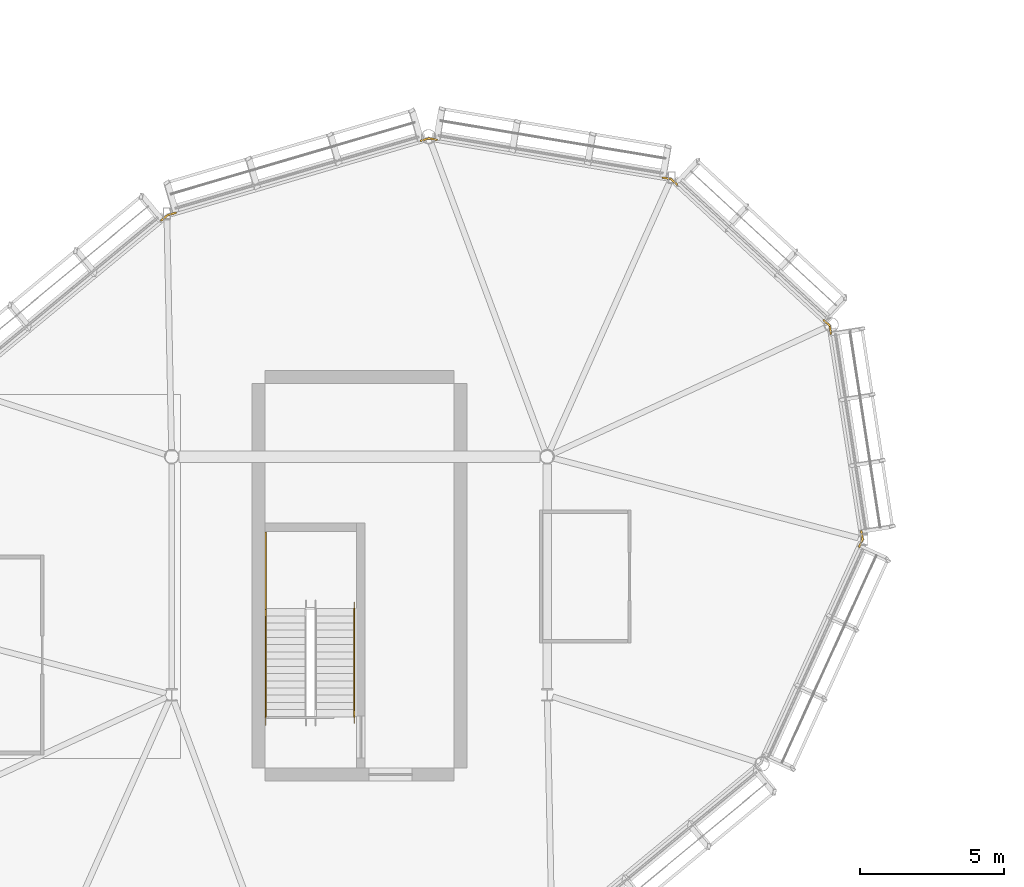
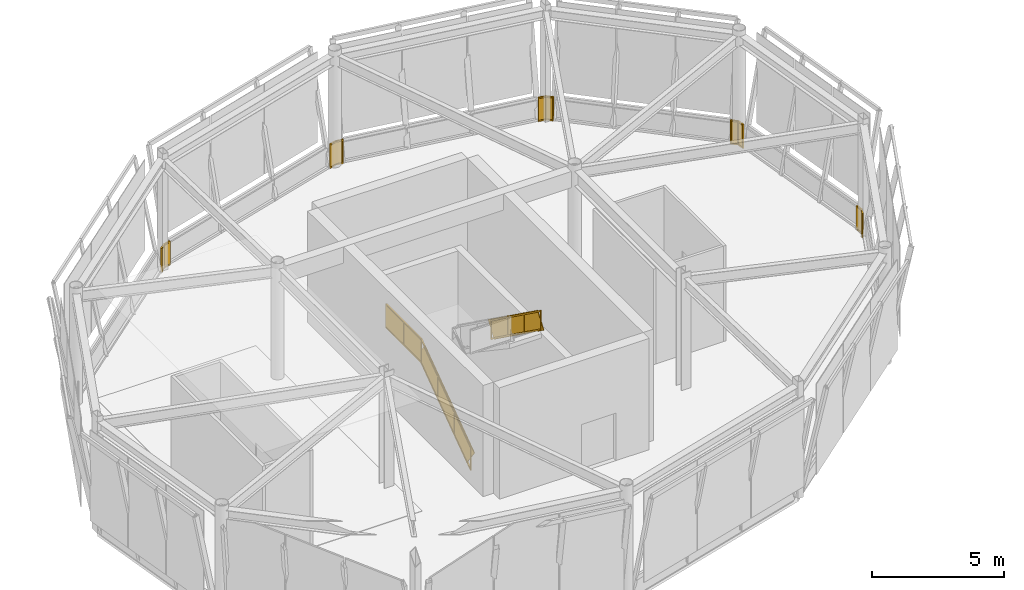
# One storey, part 90 of 90: 8 railings.
"""IFC4 building model written with IfcOpenShell, lengths in metres."""

from ifc_helpers import new_model, si_unit, direction, frame, origin, origin_2d, place, context, subcontext, project, spatial, rectangle, extrude, material, type_object, element, save


model = new_model("IFC4")

# Units and contexts
model_context = context("Model", 3, precision=1e-05, world=origin(), true_north=direction((0.0, 1.0)))
body_context = subcontext(model_context, "Body", "Model", "MODEL_VIEW")
ifc_project = project(units=[si_unit("LENGTHUNIT", "METRE"), si_unit("AREAUNIT", "SQUARE_METRE"), si_unit("VOLUMEUNIT", "CUBIC_METRE"), si_unit("PLANEANGLEUNIT", "RADIAN"), si_unit("MASSUNIT", "GRAM", prefix="KILO")], contexts=[model_context])

# Site, building, storey
site_placement = place(None, origin())
site = spatial("IfcSite", under=ifc_project, at=site_placement, CompositionType="ELEMENT")
building_placement = place(site_placement, origin())
building = spatial("IfcBuilding", under=site, at=building_placement, Name="Linyun Crest Stadium", CompositionType="ELEMENT")
storey_placement = place(building_placement, frame((0.0, 0.0, 21.0)))
storey = spatial("IfcBuildingStorey", under=building, at=storey_placement, Name="L05", CompositionType="ELEMENT", Elevation=21.0)

# Railings
ifc_material_1 = material(Name="Galvanized and powder-coated steel bowl safety barrier", Category="steel")
railing_type_1 = type_object("IfcRailingType", Name="GR02", PredefinedType="GUARDRAIL", material=ifc_material_1)
railing_1_placement = place(storey_placement, frame((89.779052734375, 93.280029296875, 0.0)))
element("IfcRailing", 1, at=railing_1_placement, inside=storey, type_object=railing_type_1, Name="Slab edge balustrade GR02 351", PredefinedType="GUARDRAIL", context=body_context, shape_type="SweptSolid", body=[
    extrude(rectangle(XDim=0.06005859375, YDim=0.06005859375, at=origin_2d()), frame((0.0, 0.0, 1.090087890625), z_axis=(0.150349133385, -0.988632964295, 0.0), x_axis=(0.988632964295, 0.150349133385, 0.0)), (0.0, 0.0, 1.0), 0.279296875),
    extrude(rectangle(XDim=0.030029296875, YDim=1.0, at=origin_2d()), frame((0.0, 0.0, 0.56005859375), z_axis=(0.150349133385, -0.988632964295, 0.0), x_axis=(0.988632964295, 0.150349133385, 0.0)), (0.0, 0.0, 1.0), 0.279296875),
    extrude(rectangle(XDim=0.06005859375, YDim=0.06005859375, at=origin_2d()), frame((0.0, 0.0, 0.030029296875), z_axis=(0.150349133385, -0.988632964295, 0.0), x_axis=(0.988632964295, 0.150349133385, 0.0)), (0.0, 0.0, 1.0), 0.279296875),
    extrude(rectangle(XDim=0.050048828125, YDim=0.050048828125, at=origin_2d()), origin(), (0.0, 0.0, 1.0), 1.1201171875),
    extrude(rectangle(XDim=0.050048828125, YDim=0.050048828125, at=origin_2d()), frame((0.0419921875, -0.276123046875, 0.0)), (0.0, 0.0, 1.0), 1.1201171875),
])
railing_2_placement = place(storey_placement, frame((90.8740234375, 86.166015625, 0.0)))
element("IfcRailing", 2, at=railing_2_placement, inside=storey, type_object=railing_type_1, Name="Slab edge balustrade GR02 352", PredefinedType="GUARDRAIL", context=body_context, shape_type="SweptSolid", body=[
    extrude(rectangle(XDim=0.06005859375, YDim=0.06005859375, at=origin_2d()), frame((0.0, 0.0, 1.090087890625), z_axis=(0.1521871378, -0.988351696052, 0.0), x_axis=(0.988351696052, 0.1521871378, 0.0)), (0.0, 0.0, 1.0), 0.2822265625),
    extrude(rectangle(XDim=0.030029296875, YDim=1.0, at=origin_2d()), frame((0.0, 0.0, 0.56005859375), z_axis=(0.1521871378, -0.988351696052, 0.0), x_axis=(0.988351696052, 0.1521871378, 0.0)), (0.0, 0.0, 1.0), 0.2822265625),
    extrude(rectangle(XDim=0.06005859375, YDim=0.06005859375, at=origin_2d()), frame((0.0, 0.0, 0.030029296875), z_axis=(0.1521871378, -0.988351696052, 0.0), x_axis=(0.988351696052, 0.1521871378, 0.0)), (0.0, 0.0, 1.0), 0.2822265625),
    extrude(rectangle(XDim=0.06005859375, YDim=0.06005859375, at=origin_2d()), frame((0.04296875, -0.279052734375, 1.090087890625), z_axis=(-0.414063441435, -0.910248024698, 0.0), x_axis=(0.910248024698, -0.414063441435, 0.0)), (0.0, 0.0, 1.0), 0.282470703125),
    extrude(rectangle(XDim=0.030029296875, YDim=1.0, at=origin_2d()), frame((0.04296875, -0.279052734375, 0.56005859375), z_axis=(-0.414063441435, -0.910248024698, 0.0), x_axis=(0.910248024698, -0.414063441435, 0.0)), (0.0, 0.0, 1.0), 0.282470703125),
    extrude(rectangle(XDim=0.06005859375, YDim=0.06005859375, at=origin_2d()), frame((0.04296875, -0.279052734375, 0.030029296875), z_axis=(-0.414063441435, -0.910248024698, 0.0), x_axis=(0.910248024698, -0.414063441435, 0.0)), (0.0, 0.0, 1.0), 0.282470703125),
    extrude(rectangle(XDim=0.050048828125, YDim=0.050048828125, at=origin_2d()), origin(), (0.0, 0.0, 1.0), 1.1201171875),
    extrude(rectangle(XDim=0.050048828125, YDim=0.050048828125, at=origin_2d()), frame((0.04296875, -0.279052734375, 0.0)), (0.0, 0.0, 1.0), 1.1201171875),
    extrude(rectangle(XDim=0.050048828125, YDim=0.050048828125, at=origin_2d()), frame((-0.073974609375, -0.5361328125, 0.0)), (0.0, 0.0, 1.0), 1.1201171875),
])
railing_3_placement = place(storey_placement, frame((66.64111328125, 96.926025390625, 0.0)))
element("IfcRailing", 3, at=railing_3_placement, inside=storey, type_object=railing_type_1, Name="Slab edge balustrade GR02 360", PredefinedType="GUARDRAIL", context=body_context, shape_type="SweptSolid", body=[
    extrude(rectangle(XDim=0.06005859375, YDim=0.06005859375, at=origin_2d()), frame((0.0, 0.0, 1.090087890625), z_axis=(0.771758653069, 0.635915545818, 0.0), x_axis=(-0.635915545818, 0.771758653069, 0.0)), (0.0, 0.0, 1.0), 0.28759765625),
    extrude(rectangle(XDim=0.030029296875, YDim=1.0, at=origin_2d()), frame((0.0, 0.0, 0.56005859375), z_axis=(0.771758653069, 0.635915545818, 0.0), x_axis=(-0.635915545818, 0.771758653069, 0.0)), (0.0, 0.0, 1.0), 0.28759765625),
    extrude(rectangle(XDim=0.06005859375, YDim=0.06005859375, at=origin_2d()), frame((0.0, 0.0, 0.030029296875), z_axis=(0.771758653069, 0.635915545818, 0.0), x_axis=(-0.635915545818, 0.771758653069, 0.0)), (0.0, 0.0, 1.0), 0.28759765625),
    extrude(rectangle(XDim=0.06005859375, YDim=0.06005859375, at=origin_2d()), frame((0.221923828125, 0.182861328125, 1.090087890625), z_axis=(0.959446583049, 0.281890500506, 0.0), x_axis=(-0.281890500506, 0.959446583049, 0.0)), (0.0, 0.0, 1.0), 0.28759765625),
    extrude(rectangle(XDim=0.030029296875, YDim=1.0, at=origin_2d()), frame((0.221923828125, 0.182861328125, 0.56005859375), z_axis=(0.959446583049, 0.281890500506, 0.0), x_axis=(-0.281890500506, 0.959446583049, 0.0)), (0.0, 0.0, 1.0), 0.28759765625),
    extrude(rectangle(XDim=0.06005859375, YDim=0.06005859375, at=origin_2d()), frame((0.221923828125, 0.182861328125, 0.030029296875), z_axis=(0.959446583049, 0.281890500506, 0.0), x_axis=(-0.281890500506, 0.959446583049, 0.0)), (0.0, 0.0, 1.0), 0.28759765625),
    extrude(rectangle(XDim=0.050048828125, YDim=0.050048828125, at=origin_2d()), origin(), (0.0, 0.0, 1.0), 1.1201171875),
    extrude(rectangle(XDim=0.050048828125, YDim=0.050048828125, at=origin_2d()), frame((0.221923828125, 0.182861328125, 0.0)), (0.0, 0.0, 1.0), 1.1201171875),
    extrude(rectangle(XDim=0.050048828125, YDim=0.050048828125, at=origin_2d()), frame((0.497802734375, 0.263916015625, 0.0)), (0.0, 0.0, 1.0), 1.1201171875),
])
railing_4_placement = place(storey_placement, frame((75.623046875, 99.68408203125, 0.0)))
element("IfcRailing", 4, at=railing_4_placement, inside=storey, type_object=railing_type_1, Name="Slab edge balustrade GR02 361", PredefinedType="GUARDRAIL", context=body_context, shape_type="SweptSolid", body=[
    extrude(rectangle(XDim=0.06005859375, YDim=0.06005859375, at=origin_2d()), frame((0.0, 0.0, 1.090087890625), z_axis=(0.959406194526, 0.282027931073, 0.0), x_axis=(-0.282027931073, 0.959406194526, 0.0)), (0.0, 0.0, 1.0), 0.28662109375),
    extrude(rectangle(XDim=0.030029296875, YDim=1.0, at=origin_2d()), frame((0.0, 0.0, 0.56005859375), z_axis=(0.959406194526, 0.282027931073, 0.0), x_axis=(-0.282027931073, 0.959406194526, 0.0)), (0.0, 0.0, 1.0), 0.28662109375),
    extrude(rectangle(XDim=0.06005859375, YDim=0.06005859375, at=origin_2d()), frame((0.0, 0.0, 0.030029296875), z_axis=(0.959406194526, 0.282027931073, 0.0), x_axis=(-0.282027931073, 0.959406194526, 0.0)), (0.0, 0.0, 1.0), 0.28662109375),
    extrude(rectangle(XDim=0.06005859375, YDim=0.06005859375, at=origin_2d()), frame((0.27490234375, 0.080810546875, 1.090087890625), z_axis=(0.985905166387, -0.167305119144, 0.0), x_axis=(0.167305119144, 0.985905166387, 0.0)), (0.0, 0.0, 1.0), 0.2861328125),
    extrude(rectangle(XDim=0.030029296875, YDim=1.0, at=origin_2d()), frame((0.27490234375, 0.080810546875, 0.56005859375), z_axis=(0.985905166387, -0.167305119144, 0.0), x_axis=(0.167305119144, 0.985905166387, 0.0)), (0.0, 0.0, 1.0), 0.2861328125),
    extrude(rectangle(XDim=0.06005859375, YDim=0.06005859375, at=origin_2d()), frame((0.27490234375, 0.080810546875, 0.030029296875), z_axis=(0.985905166387, -0.167305119144, 0.0), x_axis=(0.167305119144, 0.985905166387, 0.0)), (0.0, 0.0, 1.0), 0.2861328125),
    extrude(rectangle(XDim=0.050048828125, YDim=0.050048828125, at=origin_2d()), origin(), (0.0, 0.0, 1.0), 1.1201171875),
    extrude(rectangle(XDim=0.050048828125, YDim=0.050048828125, at=origin_2d()), frame((0.27490234375, 0.080810546875, 0.0)), (0.0, 0.0, 1.0), 1.1201171875),
    extrude(rectangle(XDim=0.050048828125, YDim=0.050048828125, at=origin_2d()), frame((0.556884765625, 0.032958984375, 0.0)), (0.0, 0.0, 1.0), 1.1201171875),
])
railing_5_placement = place(storey_placement, frame((84.007080078125, 98.406005859375, 0.0)))
element("IfcRailing", 5, at=railing_5_placement, inside=storey, type_object=railing_type_1, Name="Slab edge balustrade GR02 362", PredefinedType="GUARDRAIL", context=body_context, shape_type="SweptSolid", body=[
    extrude(rectangle(XDim=0.06005859375, YDim=0.06005859375, at=origin_2d()), frame((0.0, 0.0, 1.090087890625), z_axis=(0.986627241764, -0.1629929011, 0.0), x_axis=(0.1629929011, 0.986627241764, 0.0)), (0.0, 0.0, 1.0), 0.281494140625),
    extrude(rectangle(XDim=0.030029296875, YDim=1.0, at=origin_2d()), frame((0.0, 0.0, 0.56005859375), z_axis=(0.986627241764, -0.1629929011, 0.0), x_axis=(0.1629929011, 0.986627241764, 0.0)), (0.0, 0.0, 1.0), 0.281494140625),
    extrude(rectangle(XDim=0.06005859375, YDim=0.06005859375, at=origin_2d()), frame((0.0, 0.0, 0.030029296875), z_axis=(0.986627241764, -0.1629929011, 0.0), x_axis=(0.1629929011, 0.986627241764, 0.0)), (0.0, 0.0, 1.0), 0.281494140625),
    extrude(rectangle(XDim=0.06005859375, YDim=0.06005859375, at=origin_2d()), frame((0.27783203125, -0.0458984375, 1.090087890625), z_axis=(0.734572019785, -0.678530727196, 0.0), x_axis=(0.678530727196, 0.734572019785, 0.0)), (0.0, 0.0, 1.0), 0.283203125),
    extrude(rectangle(XDim=0.030029296875, YDim=1.0, at=origin_2d()), frame((0.27783203125, -0.0458984375, 0.56005859375), z_axis=(0.734572019785, -0.678530727196, 0.0), x_axis=(0.678530727196, 0.734572019785, 0.0)), (0.0, 0.0, 1.0), 0.283203125),
    extrude(rectangle(XDim=0.06005859375, YDim=0.06005859375, at=origin_2d()), frame((0.27783203125, -0.0458984375, 0.030029296875), z_axis=(0.734572019785, -0.678530727196, 0.0), x_axis=(0.678530727196, 0.734572019785, 0.0)), (0.0, 0.0, 1.0), 0.283203125),
    extrude(rectangle(XDim=0.050048828125, YDim=0.050048828125, at=origin_2d()), origin(), (0.0, 0.0, 1.0), 1.1201171875),
    extrude(rectangle(XDim=0.050048828125, YDim=0.050048828125, at=origin_2d()), frame((0.27783203125, -0.0458984375, 0.0)), (0.0, 0.0, 1.0), 1.1201171875),
    extrude(rectangle(XDim=0.050048828125, YDim=0.050048828125, at=origin_2d()), frame((0.48583984375, -0.238037109375, 0.0)), (0.0, 0.0, 1.0), 1.1201171875),
])
railing_6_placement = place(storey_placement, frame((89.573974609375, 93.469970703125, 0.0)))
element("IfcRailing", 6, at=railing_6_placement, inside=storey, type_object=railing_type_1, Name="Slab edge balustrade GR02 363", PredefinedType="GUARDRAIL", context=body_context, shape_type="SweptSolid", body=[
    extrude(rectangle(XDim=0.06005859375, YDim=0.06005859375, at=origin_2d()), frame((0.0, 0.0, 1.090087890625), z_axis=(0.733663907779, -0.67951252411, 0.0), x_axis=(0.67951252411, 0.733663907779, 0.0)), (0.0, 0.0, 1.0), 0.279541015625),
    extrude(rectangle(XDim=0.030029296875, YDim=1.0, at=origin_2d()), frame((0.0, 0.0, 0.56005859375), z_axis=(0.733663907779, -0.67951252411, 0.0), x_axis=(0.67951252411, 0.733663907779, 0.0)), (0.0, 0.0, 1.0), 0.279541015625),
    extrude(rectangle(XDim=0.06005859375, YDim=0.06005859375, at=origin_2d()), frame((0.0, 0.0, 0.030029296875), z_axis=(0.733663907779, -0.67951252411, 0.0), x_axis=(0.67951252411, 0.733663907779, 0.0)), (0.0, 0.0, 1.0), 0.279541015625),
    extrude(rectangle(XDim=0.050048828125, YDim=0.050048828125, at=origin_2d()), origin(), (0.0, 0.0, 1.0), 1.1201171875),
    extrude(rectangle(XDim=0.050048828125, YDim=0.050048828125, at=origin_2d()), frame((0.205078125, -0.18994140625, 0.0)), (0.0, 0.0, 1.0), 1.1201171875),
])
ifc_material_2 = material(Name="Painted steel stairwell safety guard", Category="steel")
railing_type_2 = type_object("IfcRailingType", Name="GR03", PredefinedType="GUARDRAIL", material=ifc_material_2)
railing_7_placement = place(storey_placement, frame((70.2548828125, 79.739990234375, 0.0)))
element("IfcRailing", 7, at=railing_7_placement, inside=storey, type_object=railing_type_2, Name="STR-12-L05 outer guard", PredefinedType="GUARDRAIL", context=body_context, shape_type="SweptSolid", body=[
    extrude(rectangle(XDim=0.06005859375, YDim=0.06005859375, at=origin_2d()), frame((0.0, 0.0, 1.090087890625), z_axis=(0.0, 0.811539352079, 0.584297766578), x_axis=(-1.0, 0.0, 0.0)), (0.0, 0.0, 1.0), 4.620849609375),
    extrude(rectangle(XDim=0.030029296875, YDim=1.0, at=origin_2d()), frame((0.0, 0.0, 0.56005859375), z_axis=(0.0, 0.811539352079, 0.584297766578), x_axis=(-1.0, 0.0, 0.0)), (0.0, 0.0, 1.0), 4.620849609375),
    extrude(rectangle(XDim=0.06005859375, YDim=0.06005859375, at=origin_2d()), frame((0.0, 0.0, 0.030029296875), z_axis=(0.0, 0.811539352079, 0.584297766578), x_axis=(-1.0, 0.0, 0.0)), (0.0, 0.0, 1.0), 4.620849609375),
    extrude(rectangle(XDim=0.06005859375, YDim=0.06005859375, at=origin_2d()), frame((0.0, 3.75, 3.7900390625), z_axis=(0.0, 1.0, 0.0), x_axis=(-1.0, 0.0, 0.0)), (0.0, 0.0, 1.0), 2.630126953125),
    extrude(rectangle(XDim=0.030029296875, YDim=1.0, at=origin_2d()), frame((0.0, 3.75, 3.260009765625), z_axis=(0.0, 1.0, 0.0), x_axis=(-1.0, 0.0, 0.0)), (0.0, 0.0, 1.0), 2.630126953125),
    extrude(rectangle(XDim=0.06005859375, YDim=0.06005859375, at=origin_2d()), frame((0.0, 3.75, 2.72998046875), z_axis=(0.0, 1.0, 0.0), x_axis=(-1.0, 0.0, 0.0)), (0.0, 0.0, 1.0), 2.630126953125),
    extrude(rectangle(XDim=0.050048828125, YDim=0.050048828125, at=origin_2d()), origin(), (0.0, 0.0, 1.0), 1.1201171875),
    extrude(rectangle(XDim=0.050048828125, YDim=0.050048828125, at=origin_2d()), frame((0.0, 1.25, 0.89990234375)), (0.0, 0.0, 1.0), 1.1201171875),
    extrude(rectangle(XDim=0.050048828125, YDim=0.050048828125, at=origin_2d()), frame((0.0, 2.5, 1.800048828125)), (0.0, 0.0, 1.0), 1.1201171875),
    extrude(rectangle(XDim=0.050048828125, YDim=0.050048828125, at=origin_2d()), frame((0.0, 3.75, 2.699951171875)), (0.0, 0.0, 1.0), 1.1201171875),
    extrude(rectangle(XDim=0.050048828125, YDim=0.050048828125, at=origin_2d()), frame((0.0, 5.06494140625, 2.699951171875)), (0.0, 0.0, 1.0), 1.1201171875),
    extrude(rectangle(XDim=0.050048828125, YDim=0.050048828125, at=origin_2d()), frame((0.0, 6.380126953125, 2.699951171875)), (0.0, 0.0, 1.0), 1.1201171875),
])
ifc_material_3 = material(Name="Brushed stainless steel tubular handrail", Category="steel")
railing_type_3 = type_object("IfcRailingType", Name="HR01", PredefinedType="HANDRAIL", material=ifc_material_3)
railing_8_placement = place(storey_placement, frame((73.320068359375, 83.489990234375, 2.699951171875)))
element("IfcRailing", 8, at=railing_8_placement, inside=storey, type_object=railing_type_3, Name="STR-12-L05 handrail", PredefinedType="HANDRAIL", context=body_context, shape_type="SweptSolid", body=[
    extrude(rectangle(XDim=0.06005859375, YDim=0.06005859375, at=origin_2d()), frame((0.0, 0.0, 0.889892578125), z_axis=(0.0, -0.811539352079, 0.584297766578), x_axis=(1.0, 0.0, 0.0)), (0.0, 0.0, 1.0), 4.620849609375),
    extrude(rectangle(XDim=0.030029296875, YDim=0.7998046875, at=origin_2d()), frame((0.0, 0.0, 0.4599609375), z_axis=(0.0, -0.811539352079, 0.584297766578), x_axis=(1.0, 0.0, 0.0)), (0.0, 0.0, 1.0), 4.620849609375),
    extrude(rectangle(XDim=0.06005859375, YDim=0.06005859375, at=origin_2d()), frame((0.0, 0.0, 0.030029296875), z_axis=(0.0, -0.811539352079, 0.584297766578), x_axis=(1.0, 0.0, 0.0)), (0.0, 0.0, 1.0), 4.620849609375),
    extrude(rectangle(XDim=0.050048828125, YDim=0.050048828125, at=origin_2d()), origin(), (0.0, 0.0, 1.0), 0.919921875),
    extrude(rectangle(XDim=0.050048828125, YDim=0.050048828125, at=origin_2d()), frame((0.0, -1.25, 0.89990234375)), (0.0, 0.0, 1.0), 0.919921875),
    extrude(rectangle(XDim=0.050048828125, YDim=0.050048828125, at=origin_2d()), frame((0.0, -2.5, 1.800048828125)), (0.0, 0.0, 1.0), 0.919921875),
    extrude(rectangle(XDim=0.050048828125, YDim=0.050048828125, at=origin_2d()), frame((0.0, -3.75, 2.699951171875)), (0.0, 0.0, 1.0), 0.919921875),
])

save(model, "model.ifc")
